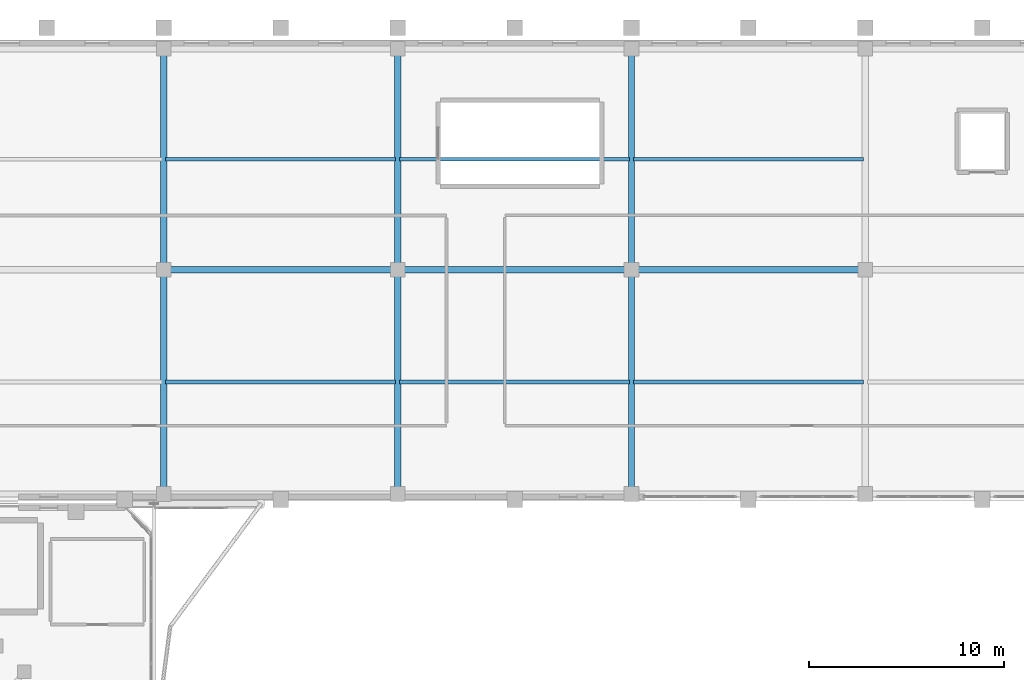
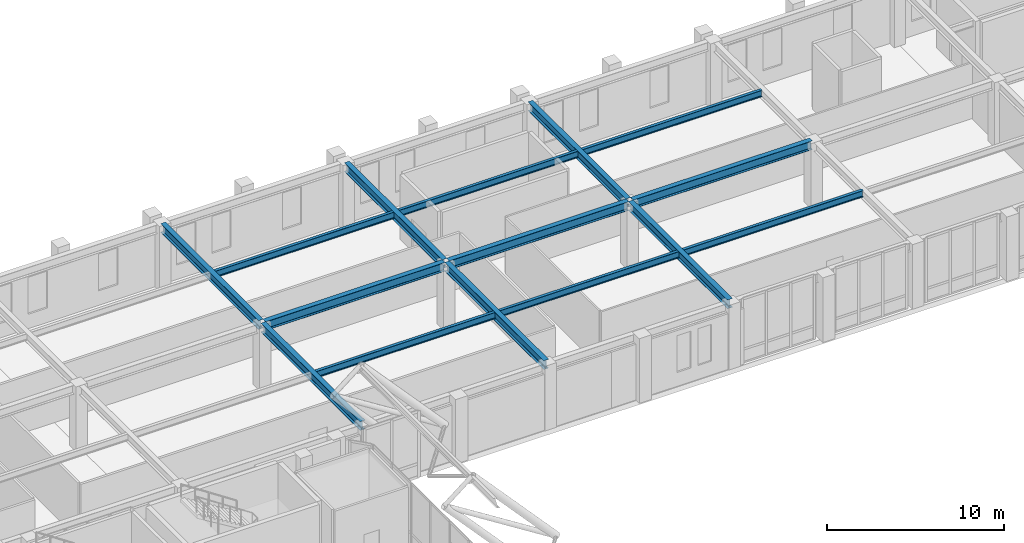
# One storey, part 35 of 79: 15 beams.
"""IFC4 building model written with IfcOpenShell, lengths in metres."""

import ifcopenshell
import ifcopenshell.guid

model = None  # the IFC model being written
_history = None  # IfcOwnerHistory: only IFC2X3 demands one
_inside = {}  # id of a spatial element -> (the spatial element, [elements in it])
_under = {}  # id of a project, library or spatial element -> (it, [spatial elements below it])
_declared = {}  # id of a project -> (the project, [libraries it declares])
_typed = {}  # id of a type object -> (the type object, [elements of that type])
_made_of = {}  # id of a material, layer set ... -> (it, [elements and type objects made of it])


def new_model(schema):
    """Start an empty IFC model of exactly this schema.

    Asked for "IFC4X3", IfcOpenShell would pick the latest addendum, in which some entities
    have other attributes; the version numbers below select the first issue.
    IFC2X3 requires an IfcOwnerHistory on every rooted entity: one is made here for all.
    """
    global model, _history
    if schema == "IFC4X3":
        model = ifcopenshell.file(schema_version=(4, 3, 0, 0))
    else:
        model = ifcopenshell.file(schema=schema)
    _inside.clear()
    _under.clear()
    _declared.clear()
    _typed.clear()
    _made_of.clear()
    _history = None
    if model.schema == "IFC2X3":
        org = make("IfcOrganization", Name="unknown")
        user = make(
            "IfcPersonAndOrganization",
            ThePerson=make("IfcPerson", FamilyName="unknown"),
            TheOrganization=org,
        )
        app = make(
            "IfcApplication",
            ApplicationDeveloper=org,
            Version="unknown",
            ApplicationFullName="unknown",
            ApplicationIdentifier="unknown",
        )
        _history = make(
            "IfcOwnerHistory",
            OwningUser=user,
            OwningApplication=app,
            ChangeAction="ADDED",
            CreationDate=0,
        )
    return model


def make(cls, **values):
    """One entity of the class cls with the attributes given. An attribute that is None is left unset."""
    return model.create_entity(
        cls, **{name: value for name, value in values.items() if value is not None}
    )


def rooted(cls, **values):
    """An entity with a GlobalId (a new one), such as an element, a storey or a relation."""
    return make(cls, GlobalId=ifcopenshell.guid.new(), OwnerHistory=_history, **values)


def si_unit(unit_type, name, prefix=None):
    """IfcSIUnit, for example si_unit("LENGTHUNIT", "METRE", prefix="MILLI")."""
    return make("IfcSIUnit", UnitType=unit_type, Prefix=prefix, Name=name)


def derived_unit(unit_type, elements):
    """IfcDerivedUnit: a product of units, each with its exponent."""
    return make(
        "IfcDerivedUnit",
        Elements=[
            make("IfcDerivedUnitElement", Unit=unit, Exponent=power)
            for unit, power in elements
        ],
        UnitType=unit_type,
    )


def assignment(units):
    """IfcUnitAssignment: the units of a project."""
    return None if units is None else make("IfcUnitAssignment", Units=units)


def point(xyz):
    """IfcCartesianPoint."""
    return None if xyz is None else make("IfcCartesianPoint", Coordinates=xyz)


def direction(xyz):
    """IfcDirection."""
    return None if xyz is None else make("IfcDirection", DirectionRatios=xyz)


def frame(location, z_axis=None, x_axis=None):
    """IfcAxis2Placement3D, a coordinate frame: its origin and axes. An axis left out is left unset."""
    return make(
        "IfcAxis2Placement3D",
        Location=point(location),
        Axis=direction(z_axis),
        RefDirection=direction(x_axis),
    )


def frame_2d(location, x_axis=None):
    """IfcAxis2Placement2D, a coordinate frame in the plane: its origin and x axis."""
    return make(
        "IfcAxis2Placement2D", Location=point(location), RefDirection=direction(x_axis)
    )


def origin():
    """The frame at (0, 0, 0) with its axes left unset."""
    return frame((0.0, 0.0, 0.0))


def origin_2d():
    """The frame at (0, 0) in the plane with its x axis left unset."""
    return frame_2d((0.0, 0.0))


def place(relative_to, where):
    """IfcLocalPlacement: puts the frame where relative to a parent placement (None: the world)."""
    return make(
        "IfcLocalPlacement", PlacementRelTo=relative_to, RelativePlacement=where
    )


def context(
    kind, dimensions, precision=None, world=None, true_north=None, identifier=None
):
    """IfcGeometricRepresentationContext, for example the 3D "Model" context."""
    return make(
        "IfcGeometricRepresentationContext",
        ContextIdentifier=identifier,
        ContextType=kind,
        CoordinateSpaceDimension=dimensions,
        Precision=precision,
        WorldCoordinateSystem=world,
        TrueNorth=true_north,
    )


def subcontext(parent, identifier, kind, view, scale=None):
    """IfcGeometricRepresentationSubContext, for example "Body" below "Model"."""
    return make(
        "IfcGeometricRepresentationSubContext",
        ContextIdentifier=identifier,
        ContextType=kind,
        ParentContext=parent,
        TargetScale=scale,
        TargetView=view,
    )


def project(units=None, contexts=None):
    """IfcProject with its units and contexts."""
    return rooted(
        "IfcProject",
        Name="project",
        RepresentationContexts=contexts,
        UnitsInContext=assignment(units),
    )


def spatial(cls, under=None, at=None, **own):
    """A site, building, storey or space (cls), placed at a placement, below another one or the project."""
    s = rooted(cls, ObjectPlacement=at, **own)
    if under is not None:
        _under.setdefault(under.id(), (under, []))[1].append(s)
    return s


def profile(cls, at=None, kind="AREA", **sizes):
    """A parametric profile (cls). Its sizes go by their IFC names, for example OverallWidth=200.0."""
    return make(cls, ProfileType=kind, Position=at, **sizes)


def i_section(**sizes):
    """IfcIShapeProfileDef."""
    return profile("IfcIShapeProfileDef", **sizes)


def extrude(swept, where, along, depth):
    """IfcExtrudedAreaSolid: the profile swept, set in the frame where, extruded along a direction by depth."""
    return make(
        "IfcExtrudedAreaSolid",
        SweptArea=swept,
        Position=where,
        ExtrudedDirection=direction(along),
        Depth=depth,
    )


def shape(context_of_items, identifier, shape_type, items):
    """IfcShapeRepresentation: the items that make up one representation, for example the "Body"."""
    return make(
        "IfcShapeRepresentation",
        ContextOfItems=context_of_items,
        RepresentationIdentifier=identifier,
        RepresentationType=shape_type,
        Items=items,
    )


def material(Name=None, Category=None):
    """IfcMaterial."""
    return make("IfcMaterial", Name=Name, Category=Category)


def material_profile(
    of_material, cross_section, Name=None, Category=None, Priority=None
):
    """IfcMaterialProfile: a cross section and its material."""
    return make(
        "IfcMaterialProfile",
        Name=Name,
        Material=of_material,
        Profile=cross_section,
        Priority=Priority,
        Category=Category,
    )


def profile_set(profiles, Name=None, composite=None):
    """IfcMaterialProfileSet."""
    return make(
        "IfcMaterialProfileSet",
        Name=Name,
        MaterialProfiles=profiles,
        CompositeProfile=composite,
    )


def made_of(thing, what):
    """Note that an element or type object is made of a material, layer set ...; save() writes the relation."""
    if what is not None:
        _made_of.setdefault(what.id(), (what, []))[1].append(thing)
    return thing


def type_object(cls, material=None, **own):
    """A type object (cls), such as IfcWallType, which elements share."""
    return made_of(rooted(cls, **own), material)


def element(
    cls,
    number,
    at=None,
    inside=None,
    cuts=None,
    type_object=None,
    material=None,
    context=None,
    identifier="Body",
    shape_type=None,
    held_by="IfcProductDefinitionShape",
    body=None,
    shapes=None,
    **own,
):
    """One element of the class cls, such as IfcWall. Its Tag is "e" and its number.

    at: its placement. inside: the storey or other place that contains it. cuts: it is an
    opening in that element (IfcRelVoidsElement). A single representation is given by context,
    identifier, shape_type and body (its items); several are given by shapes. held_by: the class
    of the entity that holds the representations. save() writes the other relations.
    """
    e = rooted(cls, Tag="e%d" % number, ObjectPlacement=at, **own)
    if body is not None:
        shapes = [shape(context, identifier, shape_type, body)]
    if shapes is not None:
        e.Representation = make(held_by, Representations=shapes)
    if inside is not None:
        _inside.setdefault(inside.id(), (inside, []))[1].append(e)
    if cuts is not None:
        rooted(
            "IfcRelVoidsElement", RelatingBuildingElement=cuts, RelatedOpeningElement=e
        )
    if type_object is not None:
        _typed.setdefault(type_object.id(), (type_object, []))[1].append(e)
    return made_of(e, material)


def aggregate(whole, parts):
    """IfcRelAggregates: a whole, such as a stair, and the parts it consists of."""
    return rooted("IfcRelAggregates", RelatingObject=whole, RelatedObjects=parts)


def save(model, path):
    """Write the relations noted so far, then the file.

    IfcRelAggregates (storeys below a building ...), IfcRelContainedInSpatialStructure (elements
    in a storey), IfcRelDefinesByType, IfcRelAssociatesMaterial and IfcRelDeclares: one each for
    every whole, place, type object, material and project.
    """
    for whole, parts in _under.values():
        aggregate(whole, parts)
    for where, things in _inside.values():
        rooted(
            "IfcRelContainedInSpatialStructure",
            RelatedElements=things,
            RelatingStructure=where,
        )
    for kind, things in _typed.values():
        rooted("IfcRelDefinesByType", RelatedObjects=things, RelatingType=kind)
    for what, things in _made_of.values():
        rooted("IfcRelAssociatesMaterial", RelatedObjects=things, RelatingMaterial=what)
    for by, libraries in _declared.values():
        rooted("IfcRelDeclares", RelatingContext=by, RelatedDefinitions=libraries)
    model.write(path)


model = new_model("IFC4")

# Units and contexts
model_context = context("Model", 3, precision=1e-05, world=origin(), true_north=direction((0.0, 1.0)))
body_context = subcontext(model_context, "Body", "Model", "MODEL_VIEW")
ifc_project = project(units=[si_unit("LENGTHUNIT", "METRE"), si_unit("AREAUNIT", "SQUARE_METRE"), si_unit("VOLUMEUNIT", "CUBIC_METRE"), si_unit("PLANEANGLEUNIT", "RADIAN"), si_unit("MASSUNIT", "GRAM", prefix="KILO"), derived_unit("THERMALTRANSMITTANCEUNIT", [(si_unit("MASSUNIT", "GRAM", prefix="KILO"), 1), (si_unit("TIMEUNIT", "SECOND"), -3), (si_unit("THERMODYNAMICTEMPERATUREUNIT", "KELVIN"), -1)])], contexts=[model_context])

# Site, building, storey
site_placement = place(None, origin())
site = spatial("IfcSite", under=ifc_project, at=site_placement, CompositionType="ELEMENT")
building_placement = place(site_placement, origin())
building = spatial("IfcBuilding", under=site, at=building_placement, Name="Valcora Ridge Arena", CompositionType="ELEMENT")
storey_placement = place(building_placement, frame((0.0, 0.0, 16.199951171875)))
storey = spatial("IfcBuildingStorey", under=building, at=storey_placement, Name="L03", CompositionType="ELEMENT", Elevation=16.199951171875)

# Beams
ifc_material = material(Name="Steel ASTM A572 Grade 50", Category="steel")
ifc_material_profile_1 = material_profile(ifc_material, i_section(OverallWidth=0.324951171875, OverallDepth=0.612060546875, WebThickness=0.0126953125, FlangeThickness=0.01904296875, FilletRadius=0.01806640625, at=origin_2d()), Name="W24X104")
ifc_profile_set_1 = profile_set([ifc_material_profile_1], Name="Steel ASTM A572 Grade 50")
beam_type_1 = type_object("IfcBeamType", Name="TY-BEAM-G-W24X104-X", PredefinedType="BEAM", material=ifc_profile_set_1)
for number, where, z_axis, x_axis, name in (
    (1, (96.139892578125, 120.199951171875, 4.154052734375), (1.0, 0.0, 0.0), (0.0, 1.0, 0.0), "G-W24X104-X BEM-G-W24X104-X-0117"),
    (2, (108.139892578125, 120.199951171875, 4.154052734375), (1.0, 0.0, 0.0), (0.0, 1.0, 0.0), "G-W24X104-X BEM-G-W24X104-X-0118"),
    (3, (120.139892578125, 120.199951171875, 4.154052734375), (1.0, 0.0, 0.0), (0.0, 1.0, 0.0), "G-W24X104-X BEM-G-W24X104-X-0119"),
):
    element("IfcBeam", number, at=place(storey_placement, frame(where, z_axis=z_axis, x_axis=x_axis)), inside=storey, type_object=beam_type_1, Name=name, PredefinedType="BEAM", context=body_context, shape_type="SweptSolid", body=[
        extrude(i_section(OverallWidth=0.324951171875, OverallDepth=0.612060546875, WebThickness=0.0126953125, FlangeThickness=0.01904296875, FilletRadius=0.01806640625, at=origin_2d()), origin(), (0.0, 0.0, 1.0), 11.72021484375),
    ])
ifc_material_profile_2 = material_profile(ifc_material, i_section(OverallWidth=0.324951171875, OverallDepth=0.612060546875, WebThickness=0.0126953125, FlangeThickness=0.01904296875, FilletRadius=0.01806640625, at=origin_2d()), Name="W24X104")
ifc_profile_set_2 = profile_set([ifc_material_profile_2], Name="Steel ASTM A572 Grade 50")
beam_type_2 = type_object("IfcBeamType", Name="TY-BEAM-G-W24X104-Y", PredefinedType="BEAM", material=ifc_profile_set_2)
beam_1_placement = place(storey_placement, frame((96.0, 108.840087890625, 4.154052734375), z_axis=(0.0, 1.0, 0.0), x_axis=(-1.0, 0.0, 0.0)))
element("IfcBeam", 4, at=beam_1_placement, inside=storey, type_object=beam_type_2, Name="G-W24X104-Y BEM-G-W24X104-Y-0121", PredefinedType="BEAM", context=body_context, shape_type="SweptSolid", body=[
    extrude(i_section(OverallWidth=0.324951171875, OverallDepth=0.612060546875, WebThickness=0.0126953125, FlangeThickness=0.01904296875, FilletRadius=0.01806640625, at=origin_2d()), origin(), (0.0, 0.0, 1.0), 11.219970703125),
])
beam_2_placement = place(storey_placement, frame((96.0, 120.340087890625, 4.154052734375), z_axis=(0.0, 1.0, 0.0), x_axis=(-1.0, 0.0, 0.0)))
element("IfcBeam", 5, at=beam_2_placement, inside=storey, type_object=beam_type_2, Name="G-W24X104-Y BEM-G-W24X104-Y-0122", PredefinedType="BEAM", context=body_context, shape_type="SweptSolid", body=[
    extrude(i_section(OverallWidth=0.324951171875, OverallDepth=0.612060546875, WebThickness=0.0126953125, FlangeThickness=0.01904296875, FilletRadius=0.01806640625, at=origin_2d()), origin(), (0.0, 0.0, 1.0), 11.06982421875),
])
beam_3_placement = place(storey_placement, frame((108.0, 108.840087890625, 4.154052734375), z_axis=(0.0, 1.0, 0.0), x_axis=(-1.0, 0.0, 0.0)))
element("IfcBeam", 6, at=beam_3_placement, inside=storey, type_object=beam_type_2, Name="G-W24X104-Y BEM-G-W24X104-Y-0123", PredefinedType="BEAM", context=body_context, shape_type="SweptSolid", body=[
    extrude(i_section(OverallWidth=0.324951171875, OverallDepth=0.612060546875, WebThickness=0.0126953125, FlangeThickness=0.01904296875, FilletRadius=0.01806640625, at=origin_2d()), origin(), (0.0, 0.0, 1.0), 11.219970703125),
])
beam_4_placement = place(storey_placement, frame((108.0, 120.340087890625, 4.154052734375), z_axis=(0.0, 1.0, 0.0), x_axis=(-1.0, 0.0, 0.0)))
element("IfcBeam", 7, at=beam_4_placement, inside=storey, type_object=beam_type_2, Name="G-W24X104-Y BEM-G-W24X104-Y-0124", PredefinedType="BEAM", context=body_context, shape_type="SweptSolid", body=[
    extrude(i_section(OverallWidth=0.324951171875, OverallDepth=0.612060546875, WebThickness=0.0126953125, FlangeThickness=0.01904296875, FilletRadius=0.01806640625, at=origin_2d()), origin(), (0.0, 0.0, 1.0), 11.06982421875),
])
beam_5_placement = place(storey_placement, frame((120.0, 108.840087890625, 4.154052734375), z_axis=(0.0, 1.0, 0.0), x_axis=(-1.0, 0.0, 0.0)))
element("IfcBeam", 8, at=beam_5_placement, inside=storey, type_object=beam_type_2, Name="G-W24X104-Y BEM-G-W24X104-Y-0125", PredefinedType="BEAM", context=body_context, shape_type="SweptSolid", body=[
    extrude(i_section(OverallWidth=0.324951171875, OverallDepth=0.612060546875, WebThickness=0.0126953125, FlangeThickness=0.01904296875, FilletRadius=0.01806640625, at=origin_2d()), origin(), (0.0, 0.0, 1.0), 11.219970703125),
])
beam_6_placement = place(storey_placement, frame((120.0, 120.340087890625, 4.154052734375), z_axis=(0.0, 1.0, 0.0), x_axis=(-1.0, 0.0, 0.0)))
element("IfcBeam", 9, at=beam_6_placement, inside=storey, type_object=beam_type_2, Name="G-W24X104-Y BEM-G-W24X104-Y-0126", PredefinedType="BEAM", context=body_context, shape_type="SweptSolid", body=[
    extrude(i_section(OverallWidth=0.324951171875, OverallDepth=0.612060546875, WebThickness=0.0126953125, FlangeThickness=0.01904296875, FilletRadius=0.01806640625, at=origin_2d()), origin(), (0.0, 0.0, 1.0), 11.06982421875),
])
ifc_material_profile_3 = material_profile(ifc_material, i_section(OverallWidth=0.18994140625, OverallDepth=0.45703125, WebThickness=0.009033203125, FlangeThickness=0.014404296875, FilletRadius=0.014892578125, at=origin_2d()), Name="W18X50")
ifc_profile_set_3 = profile_set([ifc_material_profile_3], Name="Steel ASTM A572 Grade 50")
beam_type_3 = type_object("IfcBeamType", Name="TY-BEAM-J-W18X50", PredefinedType="JOIST", material=ifc_profile_set_3)
for number, where, z_axis, x_axis, name in (
    (10, (96.10009765625, 114.449951171875, 4.2314453125), (1.0, 0.0, 0.0), (0.0, 1.0, 0.0), "J-W18X50 BEM-J-W18X50-0090"),
    (11, (96.10009765625, 125.875, 4.2314453125), (1.0, 0.0, 0.0), (0.0, 1.0, 0.0), "J-W18X50 BEM-J-W18X50-0091"),
    (12, (108.10009765625, 114.449951171875, 4.2314453125), (1.0, 0.0, 0.0), (0.0, 1.0, 0.0), "J-W18X50 BEM-J-W18X50-0092"),
    (13, (108.10009765625, 125.875, 4.2314453125), (1.0, 0.0, 0.0), (0.0, 1.0, 0.0), "J-W18X50 BEM-J-W18X50-0093"),
    (14, (120.10009765625, 114.449951171875, 4.2314453125), (1.0, 0.0, 0.0), (0.0, 1.0, 0.0), "J-W18X50 BEM-J-W18X50-0094"),
    (15, (120.10009765625, 125.875, 4.2314453125), (1.0, 0.0, 0.0), (0.0, 1.0, 0.0), "J-W18X50 BEM-J-W18X50-0095"),
):
    element("IfcBeam", number, at=place(storey_placement, frame(where, z_axis=z_axis, x_axis=x_axis)), inside=storey, type_object=beam_type_3, Name=name, PredefinedType="JOIST", context=body_context, shape_type="SweptSolid", body=[
        extrude(i_section(OverallWidth=0.18994140625, OverallDepth=0.45703125, WebThickness=0.009033203125, FlangeThickness=0.014404296875, FilletRadius=0.014892578125, at=origin_2d()), origin(), (0.0, 0.0, 1.0), 11.7998046875),
    ])

save(model, "model.ifc")
